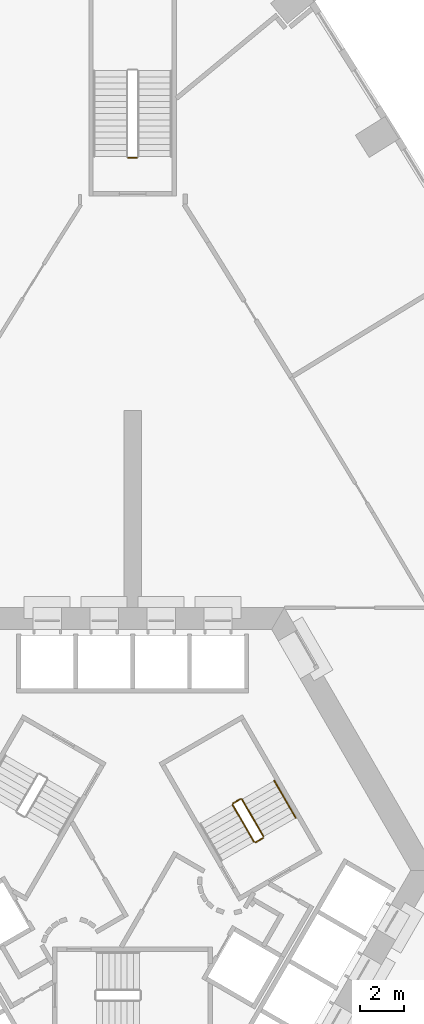
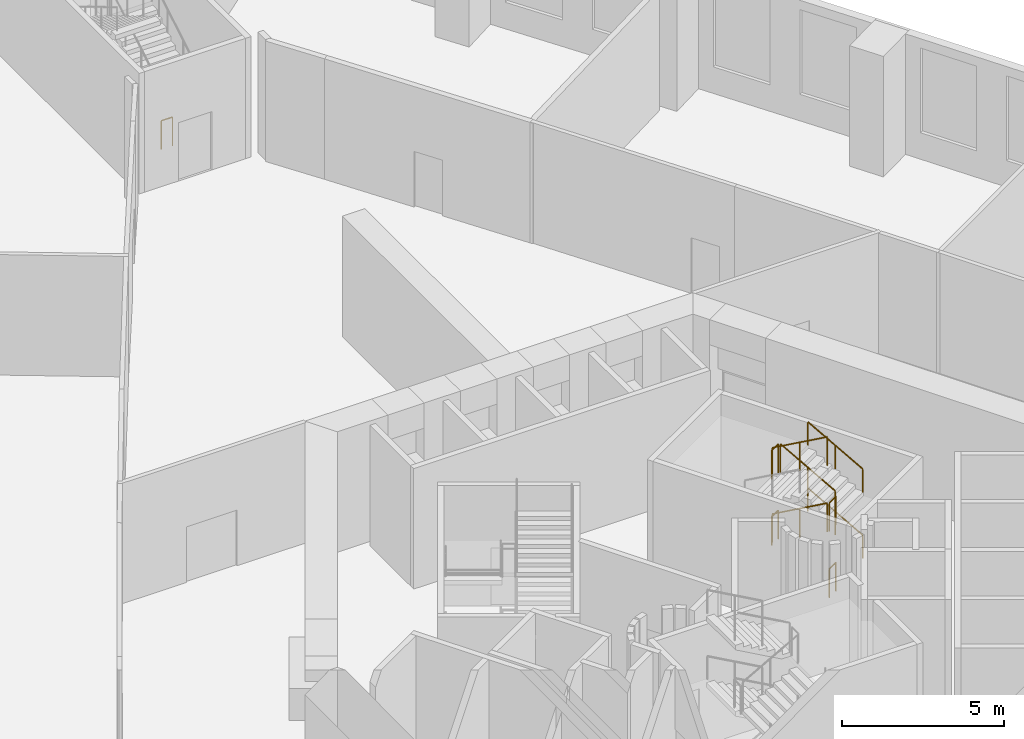
# One storey, part 14 of 16: 10 railings.
"""IFC4 building model written with IfcOpenShell, lengths in metres."""

from ifc_helpers import new_model, si_unit, direction, frame, origin, origin_2d, place, context, subcontext, project, spatial, circle, extrude, material, type_object, element, save


model = new_model("IFC4")

# Units and contexts
model_context = context("Model", 3, precision=1e-05, world=origin(), true_north=direction((0.0, 1.0)))
body_context = subcontext(model_context, "Body", "Model", "MODEL_VIEW")
ifc_project = project(units=[si_unit("LENGTHUNIT", "METRE"), si_unit("AREAUNIT", "SQUARE_METRE"), si_unit("VOLUMEUNIT", "CUBIC_METRE"), si_unit("PLANEANGLEUNIT", "RADIAN"), si_unit("MASSUNIT", "GRAM", prefix="KILO")], contexts=[model_context])

# Site, building, storey
site_placement = place(None, origin())
site = spatial("IfcSite", under=ifc_project, at=site_placement, CompositionType="ELEMENT")
building_placement = place(site_placement, origin())
building = spatial("IfcBuilding", under=site, at=building_placement, Name="Entoto Arch Interchange Tower", CompositionType="ELEMENT")
storey_placement = place(building_placement, frame((0.0, 0.0, 25.0)))
storey = spatial("IfcBuildingStorey", under=building, at=storey_placement, Name="L04", CompositionType="ELEMENT", Elevation=25.0)

# Railings
ifc_material = material(Name="Stainless steel 1.4301", Category="steel")
railing_type_1 = type_object("IfcRailingType", Name="STAIR GUARD 1100 STEEL", PredefinedType="GUARDRAIL", material=ifc_material)
railing_1_placement = place(storey_placement, frame((4.929443359375, 5.76171875, 1.25)))
element("IfcRailing", 1, at=railing_1_placement, inside=storey, type_object=railing_type_1, Name="L04 ST-NE stair guard 2", PredefinedType="GUARDRAIL", context=body_context, shape_type="SweptSolid", body=[
    extrude(circle(Radius=0.02392578125, at=origin_2d()), frame((0.0, 0.0, 1.076171875), z_axis=(-0.865941482684, -0.500145327446, 0.0), x_axis=(0.500145327446, -0.865941482684, 0.0)), (0.0, 0.0, 1.0), 0.39990234375),
    extrude(circle(Radius=0.02099609375, at=origin_2d()), origin(), (0.0, 0.0, 1.0), 1.052001953125),
    extrude(circle(Radius=0.02099609375, at=origin_2d()), frame((-0.34619140625, -0.199951171875, 0.0)), (0.0, 0.0, 1.0), 1.052001953125),
])
railing_2_placement = place(storey_placement, frame((4.56494140625, 5.493408203125, 1.40625)))
element("IfcRailing", 2, at=railing_2_placement, inside=storey, type_object=railing_type_1, Name="L04 ST-NE stair guard 3", PredefinedType="GUARDRAIL", context=body_context, shape_type="SweptSolid", body=[
    extrude(circle(Radius=0.02392578125, at=origin_2d()), frame((0.0, 0.0, 1.076171875), z_axis=(0.436632306331, -0.756220177781, 0.487322554151), x_axis=(0.866011328839, 0.500024377727, 0.0)), (0.0, 0.0, 1.0), 2.244384765625),
    extrude(circle(Radius=0.02099609375, at=origin_2d()), origin(), (0.0, 0.0, 1.0), 1.052001953125),
    extrude(circle(Radius=0.02099609375, at=origin_2d()), frame((0.489990234375, -0.8486328125, 0.546875)), (0.0, 0.0, 1.0), 1.052001953125),
    extrude(circle(Radius=0.02099609375, at=origin_2d()), frame((0.97998046875, -1.697265625, 1.09375)), (0.0, 0.0, 1.0), 1.052001953125),
])
railing_3_placement = place(storey_placement, frame((5.95947265625, 3.977783203125, 2.5)))
element("IfcRailing", 3, at=railing_3_placement, inside=storey, type_object=railing_type_1, Name="L04 ST-NE stair guard 4", PredefinedType="GUARDRAIL", context=body_context, shape_type="SweptSolid", body=[
    extrude(circle(Radius=0.02392578125, at=origin_2d()), frame((0.0, 0.0, 1.076171875), z_axis=(-0.866094119867, -0.499880961361, 0.0), x_axis=(0.499880961361, -0.866094119867, 0.0)), (0.0, 0.0, 1.0), 0.39990234375),
    extrude(circle(Radius=0.02099609375, at=origin_2d()), origin(), (0.0, 0.0, 1.0), 1.052001953125),
    extrude(circle(Radius=0.02099609375, at=origin_2d()), frame((-0.346435546875, -0.199951171875, 0.0)), (0.0, 0.0, 1.0), 1.052001953125),
])
railing_4_placement = place(storey_placement, frame((5.977783203125, 4.046142578125, 2.65625)))
element("IfcRailing", 4, at=railing_4_placement, inside=storey, type_object=railing_type_1, Name="L04 ST-NE stair guard 5", PredefinedType="GUARDRAIL", context=body_context, shape_type="SweptSolid", body=[
    extrude(circle(Radius=0.02392578125, at=origin_2d()), frame((0.0, 0.0, 1.076171875), z_axis=(-0.436632306331, 0.756220177781, 0.487322554151), x_axis=(-0.866011328839, -0.500024377727, 0.0)), (0.0, 0.0, 1.0), 2.244384765625),
    extrude(circle(Radius=0.02099609375, at=origin_2d()), origin(), (0.0, 0.0, 1.0), 1.052001953125),
    extrude(circle(Radius=0.02099609375, at=origin_2d()), frame((-0.489990234375, 0.8486328125, 0.546875)), (0.0, 0.0, 1.0), 1.052001953125),
    extrude(circle(Radius=0.02099609375, at=origin_2d()), frame((-0.97998046875, 1.697265625, 1.09375)), (0.0, 0.0, 1.0), 1.052001953125),
])
railing_5_placement = place(storey_placement, frame((4.929443359375, 5.76171875, 3.75)))
element("IfcRailing", 5, at=railing_5_placement, inside=storey, type_object=railing_type_1, Name="L04 ST-NE stair guard 6", PredefinedType="GUARDRAIL", context=body_context, shape_type="SweptSolid", body=[
    extrude(circle(Radius=0.02392578125, at=origin_2d()), frame((0.0, 0.0, 1.076171875), z_axis=(-0.865941482684, -0.500145327446, 0.0), x_axis=(0.500145327446, -0.865941482684, 0.0)), (0.0, 0.0, 1.0), 0.39990234375),
    extrude(circle(Radius=0.02099609375, at=origin_2d()), origin(), (0.0, 0.0, 1.0), 1.052001953125),
    extrude(circle(Radius=0.02099609375, at=origin_2d()), frame((-0.34619140625, -0.199951171875, 0.0)), (0.0, 0.0, 1.0), 1.052001953125),
])
railing_6_placement = place(storey_placement, frame((4.56494140625, 5.493408203125, 3.90625)))
element("IfcRailing", 6, at=railing_6_placement, inside=storey, type_object=railing_type_1, Name="L04 ST-NE stair guard 7", PredefinedType="GUARDRAIL", context=body_context, shape_type="SweptSolid", body=[
    extrude(circle(Radius=0.02392578125, at=origin_2d()), frame((0.0, 0.0, 1.076171875), z_axis=(0.436632306331, -0.756220177781, 0.487322554151), x_axis=(0.866011328839, 0.500024377727, 0.0)), (0.0, 0.0, 1.0), 2.244384765625),
    extrude(circle(Radius=0.02099609375, at=origin_2d()), origin(), (0.0, 0.0, 1.0), 1.052001953125),
    extrude(circle(Radius=0.02099609375, at=origin_2d()), frame((0.489990234375, -0.8486328125, 0.546875)), (0.0, 0.0, 1.0), 1.052001953125),
    extrude(circle(Radius=0.02099609375, at=origin_2d()), frame((0.97998046875, -1.697265625, 1.09375)), (0.0, 0.0, 1.0), 1.052001953125),
])
railing_7_placement = place(storey_placement, frame((5.95947265625, 3.977783203125, 0.0)))
element("IfcRailing", 7, at=railing_7_placement, inside=storey, type_object=railing_type_1, Name="L04 ST-NE stair guard 8", PredefinedType="GUARDRAIL", context=body_context, shape_type="SweptSolid", body=[
    extrude(circle(Radius=0.02392578125, at=origin_2d()), frame((0.0, 0.0, 1.076171875), z_axis=(-0.866094119867, -0.499880961361, 0.0), x_axis=(0.499880961361, -0.866094119867, 0.0)), (0.0, 0.0, 1.0), 0.39990234375),
    extrude(circle(Radius=0.02099609375, at=origin_2d()), origin(), (0.0, 0.0, 1.0), 1.052001953125),
    extrude(circle(Radius=0.02099609375, at=origin_2d()), frame((-0.346435546875, -0.199951171875, 0.0)), (0.0, 0.0, 1.0), 1.052001953125),
])
railing_8_placement = place(storey_placement, frame((0.199951171875, 35.050048828125, 0.0)))
element("IfcRailing", 8, at=railing_8_placement, inside=storey, type_object=railing_type_1, Name="L04 PST-N stair guard 4", PredefinedType="GUARDRAIL", context=body_context, shape_type="SweptSolid", body=[
    extrude(circle(Radius=0.02392578125, at=origin_2d()), frame((0.0, 0.0, 1.076171875), z_axis=(-1.0, 0.0, 0.0), x_axis=(0.0, -1.0, 0.0)), (0.0, 0.0, 1.0), 0.39990234375),
    extrude(circle(Radius=0.02099609375, at=origin_2d()), origin(), (0.0, 0.0, 1.0), 1.052001953125),
    extrude(circle(Radius=0.02099609375, at=origin_2d()), frame((-0.39990234375, 0.0, 0.0)), (0.0, 0.0, 1.0), 1.052001953125),
])
railing_type_2 = type_object("IfcRailingType", Name="STAIR HANDRAIL 900 STEEL", PredefinedType="HANDRAIL", material=ifc_material)
for number, where, name in (
    (9, (7.4501953125, 4.89599609375, 0.15625), "L04 ST-NE stair handrail 1"),
    (10, (7.4501953125, 4.89599609375, 2.65625), "L04 ST-NE stair handrail 3"),
):
    element("IfcRailing", number, at=place(storey_placement, frame(where)), inside=storey, type_object=railing_type_2, Name=name, PredefinedType="HANDRAIL", context=body_context, shape_type="SweptSolid", body=[
        extrude(circle(Radius=0.02392578125, at=origin_2d()), frame((0.0, 0.0, 0.8759765625), z_axis=(-0.436596390967, 0.756266742998, 0.487282469241), x_axis=(-0.866042469362, -0.499970440388, 0.0)), (0.0, 0.0, 1.0), 2.24462890625),
        extrude(circle(Radius=0.02099609375, at=origin_2d()), origin(), (0.0, 0.0, 1.0), 0.851806640625),
        extrude(circle(Radius=0.02099609375, at=origin_2d()), frame((-0.489990234375, 0.8486328125, 0.546875)), (0.0, 0.0, 1.0), 0.851806640625),
        extrude(circle(Radius=0.02099609375, at=origin_2d()), frame((-0.97998046875, 1.697509765625, 1.09375)), (0.0, 0.0, 1.0), 0.851806640625),
    ])

save(model, "model.ifc")
